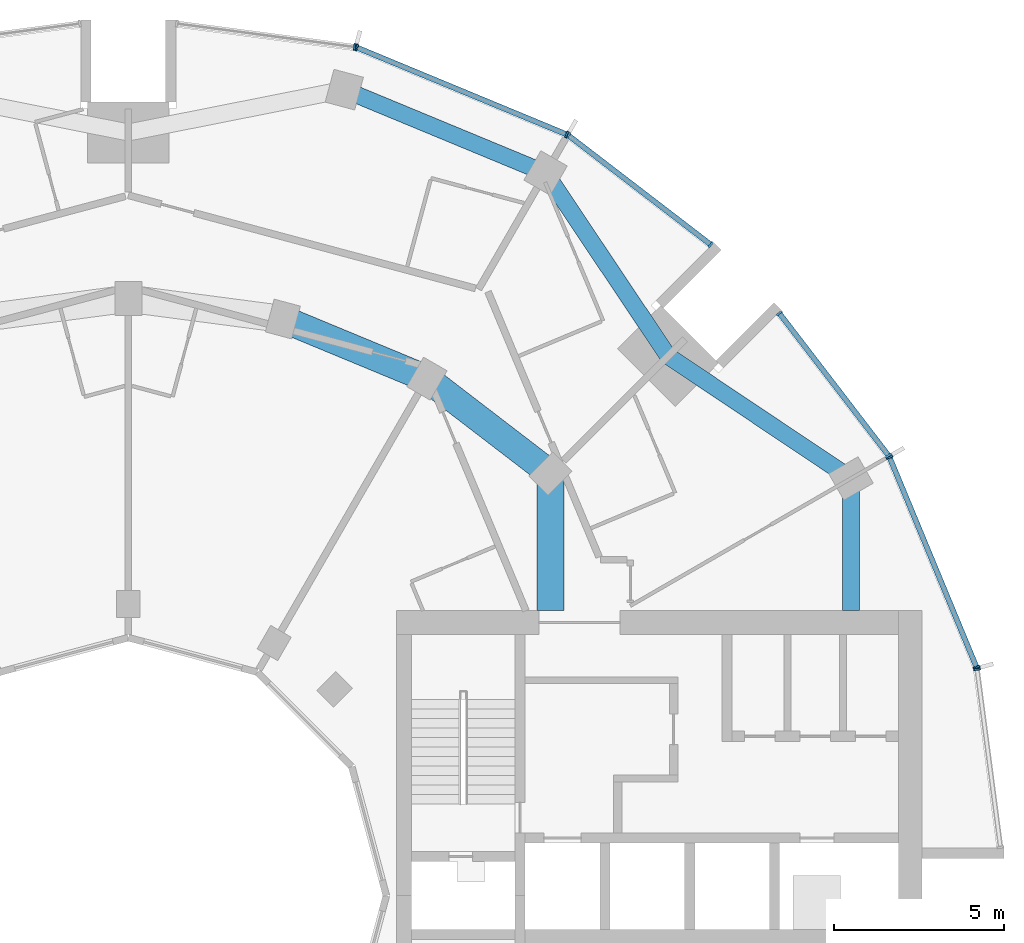
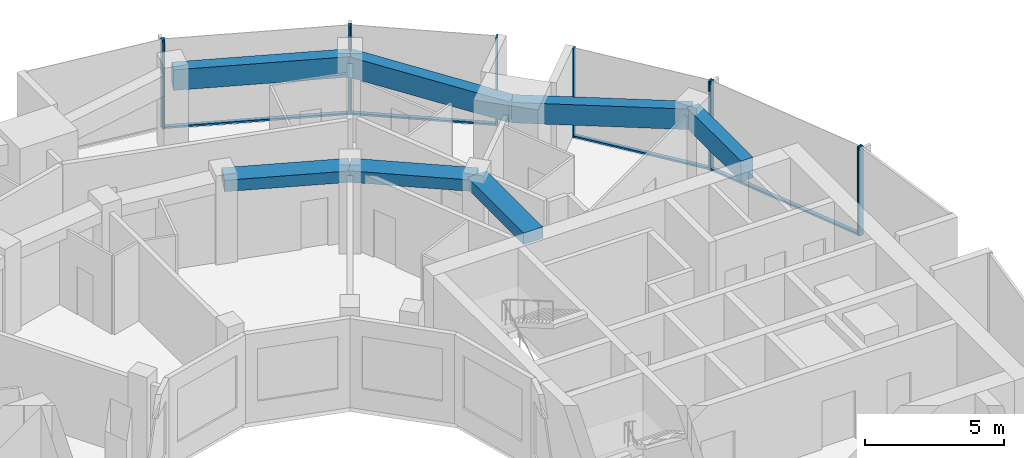
# One storey, part 6 of 15: 14 members, 7 beams, 6 elements without a shape of their own.
"""IFC4 building model written with IfcOpenShell, lengths in metres."""

from ifc_helpers import new_model, si_unit, direction, frame, origin, origin_2d, place, context, subcontext, project, spatial, rectangle, extrude, material, layer, layer_set, material_profile, profile_set, type_object, element, aggregate, save


model = new_model("IFC4")

# Units and contexts
model_context = context("Model", 3, precision=1e-05, world=origin(), true_north=direction((0.0, 1.0)))
body_context = subcontext(model_context, "Body", "Model", "MODEL_VIEW")
ifc_project = project(units=[si_unit("LENGTHUNIT", "METRE"), si_unit("AREAUNIT", "SQUARE_METRE"), si_unit("VOLUMEUNIT", "CUBIC_METRE"), si_unit("PLANEANGLEUNIT", "RADIAN"), si_unit("MASSUNIT", "GRAM", prefix="KILO")], contexts=[model_context])

# Site, building, storey
site_placement = place(None, origin())
site = spatial("IfcSite", under=ifc_project, at=site_placement, CompositionType="ELEMENT")
building_placement = place(site_placement, origin())
building = spatial("IfcBuilding", under=site, at=building_placement, Name="Torre Brocal", CompositionType="ELEMENT")
storey_placement = place(building_placement, frame((0.0, 0.0, 126.300048828125)))
storey = spatial("IfcBuildingStorey", under=building, at=storey_placement, Name="L29", CompositionType="ELEMENT", Elevation=126.300048828125)

# Curtain wall, members
ifc_material_1 = material(Name="Aluminium and glass", Category="aluminium")
ifc_layer_1 = layer(ifc_material_1, 0.199951171875)
ifc_layer_set_1 = layer_set([ifc_layer_1], Name="Aluminium and glass")
curtain_wall_type_1 = type_object("IfcCurtainWallType", Name="CW-1 CURTAIN WALL 3900 HIGH", PredefinedType="NOTDEFINED", material=ifc_layer_set_1)
curtain_wall_1_placement = place(storey_placement, origin())
curtain_wall_1 = element("IfcCurtainWall", 1, at=curtain_wall_1_placement, inside=storey, type_object=curtain_wall_type_1, Name="CW-1 RUN 2", PredefinedType="NOTDEFINED")
ifc_material_2 = material(Name="Aluminium, dark anodised", Category="aluminium")
ifc_material_profile_1 = material_profile(ifc_material_2, rectangle(XDim=0.199951171875, YDim=0.06005859375, at=origin_2d()), Name="CW-1 MULLION 60X200")
ifc_profile_set_1 = profile_set([ifc_material_profile_1], Name="Aluminium, dark anodised")
member_type_1 = type_object("IfcMemberType", Name="CW-1 MULLION 60X200", PredefinedType="MULLION", material=ifc_profile_set_1)
member_1_placement = place(storey_placement, frame((105.005126953125, 81.73095703125, 0.0), z_axis=(0.0, 0.0, 1.0), x_axis=(-0.923879532525, -0.382683432333, 0.0)))
member_1 = element("IfcMember", 2, at=member_1_placement, type_object=member_type_1, Name="CW1-3 mullion 1", PredefinedType="MULLION", context=body_context, shape_type="SweptSolid", body=[
    extrude(rectangle(XDim=0.199951171875, YDim=0.06005859375, at=origin_2d()), origin(), (0.0, 0.0, 1.0), 3.89990234375),
])
member_2_placement = place(storey_placement, frame((102.440673828125, 87.921875, 0.0), z_axis=(0.0, 0.0, 1.0), x_axis=(-0.923879532525, -0.382683432333, 0.0)))
member_2 = element("IfcMember", 3, at=member_2_placement, type_object=member_type_1, Name="CW1-3 mullion 2", PredefinedType="MULLION", context=body_context, shape_type="SweptSolid", body=[
    extrude(rectangle(XDim=0.199951171875, YDim=0.06005859375, at=origin_2d()), origin(), (0.0, 0.0, 1.0), 3.89990234375),
])

curtain_wall_2_placement = place(storey_placement, origin())
curtain_wall_2 = element("IfcCurtainWall", 4, at=curtain_wall_2_placement, inside=storey, type_object=curtain_wall_type_1, Name="CW-1 RUN 3", PredefinedType="NOTDEFINED")
member_3_placement = place(storey_placement, frame((102.4111328125, 87.973388671875, 0.0), z_axis=(0.0, 0.0, 1.0), x_axis=(-0.793353340259, -0.60876142905, 0.0)))
member_3 = element("IfcMember", 5, at=member_3_placement, type_object=member_type_1, Name="CW1-3 mullion 1", PredefinedType="MULLION", context=body_context, shape_type="SweptSolid", body=[
    extrude(rectangle(XDim=0.199951171875, YDim=0.06005859375, at=origin_2d()), origin(), (0.0, 0.0, 1.0), 3.89990234375),
])
member_4_placement = place(storey_placement, frame((99.19140625, 92.16943359375, 0.0), z_axis=(0.0, 0.0, 1.0), x_axis=(-0.793353340259, -0.60876142905, 0.0)))
member_4 = element("IfcMember", 6, at=member_4_placement, type_object=member_type_1, Name="CW1-3 mullion 2", PredefinedType="MULLION", context=body_context, shape_type="SweptSolid", body=[
    extrude(rectangle(XDim=0.199951171875, YDim=0.06005859375, at=origin_2d()), origin(), (0.0, 0.0, 1.0), 3.89990234375),
])

curtain_wall_3_placement = place(storey_placement, origin())
curtain_wall_3 = element("IfcCurtainWall", 7, at=curtain_wall_3_placement, inside=storey, type_object=curtain_wall_type_1, Name="CW-1 RUN 4", PredefinedType="NOTDEFINED")
member_5_placement = place(storey_placement, frame((97.16943359375, 94.19140625, 0.0), z_axis=(0.0, 0.0, 1.0), x_axis=(-0.60876142905, -0.793353340259, 0.0)))
member_5 = element("IfcMember", 8, at=member_5_placement, type_object=member_type_1, Name="CW1-3 mullion 1", PredefinedType="MULLION", context=body_context, shape_type="SweptSolid", body=[
    extrude(rectangle(XDim=0.199951171875, YDim=0.06005859375, at=origin_2d()), origin(), (0.0, 0.0, 1.0), 3.89990234375),
])
member_6_placement = place(storey_placement, frame((92.973388671875, 97.4111328125, 0.0), z_axis=(0.0, 0.0, 1.0), x_axis=(-0.60876142905, -0.793353340259, 0.0)))
member_6 = element("IfcMember", 9, at=member_6_placement, type_object=member_type_1, Name="CW1-3 mullion 2", PredefinedType="MULLION", context=body_context, shape_type="SweptSolid", body=[
    extrude(rectangle(XDim=0.199951171875, YDim=0.06005859375, at=origin_2d()), origin(), (0.0, 0.0, 1.0), 3.89990234375),
])

curtain_wall_4_placement = place(storey_placement, origin())
curtain_wall_4 = element("IfcCurtainWall", 10, at=curtain_wall_4_placement, inside=storey, type_object=curtain_wall_type_1, Name="CW-1 RUN 5", PredefinedType="NOTDEFINED")
member_7_placement = place(storey_placement, frame((92.921875, 97.440673828125, 0.0), z_axis=(0.0, 0.0, 1.0), x_axis=(-0.382683432333, -0.923879532525, 0.0)))
member_7 = element("IfcMember", 11, at=member_7_placement, type_object=member_type_1, Name="CW1-3 mullion 1", PredefinedType="MULLION", context=body_context, shape_type="SweptSolid", body=[
    extrude(rectangle(XDim=0.199951171875, YDim=0.06005859375, at=origin_2d()), origin(), (0.0, 0.0, 1.0), 3.89990234375),
])
member_8_placement = place(storey_placement, frame((86.73095703125, 100.005126953125, 0.0), z_axis=(0.0, 0.0, 1.0), x_axis=(-0.382683432333, -0.923879532525, 0.0)))
member_8 = element("IfcMember", 12, at=member_8_placement, type_object=member_type_1, Name="CW1-3 mullion 2", PredefinedType="MULLION", context=body_context, shape_type="SweptSolid", body=[
    extrude(rectangle(XDim=0.199951171875, YDim=0.06005859375, at=origin_2d()), origin(), (0.0, 0.0, 1.0), 3.89990234375),
])

# Curtain wall, member
curtain_wall_5_placement = place(storey_placement, origin())
curtain_wall_5 = element("IfcCurtainWall", 13, at=curtain_wall_5_placement, inside=storey, type_object=curtain_wall_type_1, Name="CW-1 RUN 6", PredefinedType="NOTDEFINED")
member_9_placement = place(storey_placement, frame((86.67333984375, 100.0205078125, 0.0), z_axis=(0.0, 0.0, 1.0), x_axis=(-0.13052619222, -0.991444861374, 0.0)))
member_9 = element("IfcMember", 14, at=member_9_placement, type_object=member_type_1, Name="CW1-3 mullion 1", PredefinedType="MULLION", context=body_context, shape_type="SweptSolid", body=[
    extrude(rectangle(XDim=0.199951171875, YDim=0.06005859375, at=origin_2d()), origin(), (0.0, 0.0, 1.0), 3.89990234375),
])
aggregate(curtain_wall_5, [member_9])

# Member
ifc_material_3 = material(Name="Aluminium, dark anodised", Category="aluminium")
ifc_material_profile_2 = material_profile(ifc_material_3, rectangle(XDim=0.159912109375, YDim=0.080078125, at=origin_2d()), Name="CW-1 TRANSOM 160X80")
ifc_profile_set_2 = profile_set([ifc_material_profile_2], Name="Aluminium, dark anodised")
member_type_2 = type_object("IfcMemberType", Name="CW-1 TRANSOM 160X80", PredefinedType="USERDEFINED", material=ifc_profile_set_2)
member_10_placement = place(storey_placement, frame((104.99365234375, 81.758544921875, 0.0400390625), z_axis=(-0.38266457234, 0.923887344364, 0.0), x_axis=(-0.923887344364, -0.38266457234, 0.0)))
member_10 = element("IfcMember", 15, at=member_10_placement, type_object=member_type_2, Name="CW1-3 transom 1.1", ObjectType="TRANSOM", PredefinedType="USERDEFINED", context=body_context, shape_type="SweptSolid", body=[
    extrude(rectangle(XDim=0.159912109375, YDim=0.080078125, at=origin_2d()), origin(), (0.0, 0.0, 1.0), 6.640869140625),
])

aggregate(curtain_wall_1, [member_1, member_2, member_10])

member_11_placement = place(storey_placement, frame((102.392822265625, 87.9970703125, 0.0400390625), z_axis=(-0.60874908096, 0.79336281513, 0.0), x_axis=(-0.79336281513, -0.60874908096, 0.0)))
member_11 = element("IfcMember", 16, at=member_11_placement, type_object=member_type_2, Name="CW1-3 transom 1.1", ObjectType="TRANSOM", PredefinedType="USERDEFINED", context=body_context, shape_type="SweptSolid", body=[
    extrude(rectangle(XDim=0.159912109375, YDim=0.080078125, at=origin_2d()), origin(), (0.0, 0.0, 1.0), 5.22900390625),
])

aggregate(curtain_wall_2, [member_3, member_4, member_11])

member_12_placement = place(storey_placement, frame((97.1455078125, 94.209716796875, 0.0400390625), z_axis=(-0.79336281513, 0.60874908096, 0.0), x_axis=(-0.60874908096, -0.79336281513, 0.0)))
member_12 = element("IfcMember", 17, at=member_12_placement, type_object=member_type_2, Name="CW1-3 transom 1.1", ObjectType="TRANSOM", PredefinedType="USERDEFINED", context=body_context, shape_type="SweptSolid", body=[
    extrude(rectangle(XDim=0.159912109375, YDim=0.080078125, at=origin_2d()), origin(), (0.0, 0.0, 1.0), 5.22900390625),
])

aggregate(curtain_wall_3, [member_5, member_6, member_12])

member_13_placement = place(storey_placement, frame((92.89404296875, 97.452392578125, 0.0400390625), z_axis=(-0.923887344364, 0.38266457234, 0.0), x_axis=(-0.38266457234, -0.923887344364, 0.0)))
member_13 = element("IfcMember", 18, at=member_13_placement, type_object=member_type_2, Name="CW1-3 transom 1.1", ObjectType="TRANSOM", PredefinedType="USERDEFINED", context=body_context, shape_type="SweptSolid", body=[
    extrude(rectangle(XDim=0.159912109375, YDim=0.080078125, at=origin_2d()), origin(), (0.0, 0.0, 1.0), 6.640869140625),
])

aggregate(curtain_wall_4, [member_7, member_8, member_13])

# Curtain wall, member
ifc_material_4 = material(Name="Aluminium and glass", Category="aluminium")
ifc_layer_2 = layer(ifc_material_4, 0.199951171875)
ifc_layer_set_2 = layer_set([ifc_layer_2], Name="Aluminium and glass")
curtain_wall_type_2 = type_object("IfcCurtainWallType", Name="CW-1B CURTAIN WALL 3900 HIGH", PredefinedType="NOTDEFINED", material=ifc_layer_set_2)
curtain_wall_6_placement = place(storey_placement, origin())
curtain_wall_6 = element("IfcCurtainWall", 19, at=curtain_wall_6_placement, inside=storey, type_object=curtain_wall_type_2, Name="CW-1B RUN 1", PredefinedType="NOTDEFINED")
ifc_material_5 = material(Name="Aluminium, dark anodised", Category="aluminium")
ifc_material_profile_3 = material_profile(ifc_material_5, rectangle(XDim=0.199951171875, YDim=0.06005859375, at=origin_2d()), Name="CW-1B MULLION 60X200")
ifc_profile_set_3 = profile_set([ifc_material_profile_3], Name="Aluminium, dark anodised")
member_type_3 = type_object("IfcMemberType", Name="CW-1B MULLION 60X200", PredefinedType="MULLION", material=ifc_profile_set_3)
member_14_placement = place(storey_placement, frame((105.0205078125, 81.67333984375, 0.0), z_axis=(0.0, 0.0, 1.0), x_axis=(-0.991444861374, -0.13052619222, 0.0)))
member_14 = element("IfcMember", 20, at=member_14_placement, type_object=member_type_3, Name="CW1B-3 mullion 2", PredefinedType="MULLION", context=body_context, shape_type="SweptSolid", body=[
    extrude(rectangle(XDim=0.199951171875, YDim=0.06005859375, at=origin_2d()), origin(), (0.0, 0.0, 1.0), 3.89990234375),
])
aggregate(curtain_wall_6, [member_14])

# Beams
ifc_material_6 = material(Name="Concrete C50", Category="concrete")
ifc_material_profile_4 = material_profile(ifc_material_6, rectangle(XDim=0.800048828125, YDim=0.5, at=origin_2d()), Name="RC 800X500")
ifc_profile_set_4 = profile_set([ifc_material_profile_4], Name="Concrete C50")
beam_type_1 = type_object("IfcBeamType", Name="RC BEAM 800X500 C50 TOP 3580", PredefinedType="BEAM", material=ifc_profile_set_4)
beam_1_placement = place(storey_placement, frame((92.445068359375, 87.445068359375, 3.329833984375), z_axis=(-0.793358265959, 0.6087550097, 0.0), x_axis=(-0.6087550097, -0.793358265959, 0.0)))
element("IfcBeam", 21, at=beam_1_placement, inside=storey, type_object=beam_type_1, Name="Beam BT-28", PredefinedType="BEAM", context=body_context, shape_type="SweptSolid", body=[
    extrude(rectangle(XDim=0.800048828125, YDim=0.5, at=origin_2d()), origin(), (0.0, 0.0, 1.0), 4.594482421875),
])
beam_2_placement = place(storey_placement, frame((88.800048828125, 90.241943359375, 3.329833984375), z_axis=(-0.923878240166, 0.382686552348, 0.0), x_axis=(-0.382686552348, -0.923878240166, 0.0)))
element("IfcBeam", 22, at=beam_2_placement, inside=storey, type_object=beam_type_1, Name="Beam BT-28", PredefinedType="BEAM", context=body_context, shape_type="SweptSolid", body=[
    extrude(rectangle(XDim=0.800048828125, YDim=0.5, at=origin_2d()), origin(), (0.0, 0.0, 1.0), 4.5947265625),
])
beam_3_placement = place(storey_placement, frame((92.445068359375, 87.445068359375, 3.329833984375), z_axis=(0.0, -1.0, 0.0), x_axis=(1.0, 0.0, 0.0)))
element("IfcBeam", 23, at=beam_3_placement, inside=storey, type_object=beam_type_1, Name="Beam BT-28", PredefinedType="BEAM", context=body_context, shape_type="SweptSolid", body=[
    extrude(rectangle(XDim=0.800048828125, YDim=0.5, at=origin_2d()), origin(), (0.0, 0.0, 1.0), 4.045166015625),
])
ifc_material_7 = material(Name="Concrete C50", Category="concrete")
ifc_material_profile_5 = material_profile(ifc_material_7, rectangle(XDim=0.5, YDim=0.89990234375, at=origin_2d()), Name="RC 500X900")
ifc_profile_set_5 = profile_set([ifc_material_profile_5], Name="Concrete C50")
beam_type_2 = type_object("IfcBeamType", Name="RC SPANDREL BEAM 500X900 C50 TOP 3580", PredefinedType="SPANDREL", material=ifc_profile_set_5)
for number, where, z_axis, x_axis, name in (
    (24, (101.30419921875, 87.300048828125, 3.1298828125), (-0.831076844476, 0.556157602282, 0.0), (-0.556157602282, -0.831076844476, 0.0), "Beam BT-29"),
    (25, (95.909912109375, 90.909912109375, 3.1298828125), (-0.556157602282, 0.831076844476, 0.0), (-0.831076844476, -0.556157602282, 0.0), "Beam BT-29"),
):
    element("IfcBeam", number, at=place(storey_placement, frame(where, z_axis=z_axis, x_axis=x_axis)), inside=storey, type_object=beam_type_2, Name=name, PredefinedType="SPANDREL", context=body_context, shape_type="SweptSolid", body=[
        extrude(rectangle(XDim=0.5, YDim=0.89990234375, at=origin_2d()), origin(), (0.0, 0.0, 1.0), 6.49072265625),
    ])
beam_4_placement = place(storey_placement, frame((92.300048828125, 96.30419921875, 3.1298828125), z_axis=(-0.923882462513, 0.382676358639, 0.0), x_axis=(-0.382676358639, -0.923882462513, 0.0)))
element("IfcBeam", 26, at=beam_4_placement, inside=storey, type_object=beam_type_2, Name="Beam BT-29", PredefinedType="SPANDREL", context=body_context, shape_type="SweptSolid", body=[
    extrude(rectangle(XDim=0.5, YDim=0.89990234375, at=origin_2d()), origin(), (0.0, 0.0, 1.0), 6.421875),
])
beam_5_placement = place(storey_placement, frame((101.30419921875, 87.300048828125, 3.1298828125), z_axis=(0.0, -1.0, 0.0), x_axis=(1.0, 0.0, 0.0)))
element("IfcBeam", 27, at=beam_5_placement, inside=storey, type_object=beam_type_2, Name="Beam BT-29", PredefinedType="SPANDREL", context=body_context, shape_type="SweptSolid", body=[
    extrude(rectangle(XDim=0.5, YDim=0.89990234375, at=origin_2d()), origin(), (0.0, 0.0, 1.0), 3.900146484375),
])

save(model, "model.ifc")
